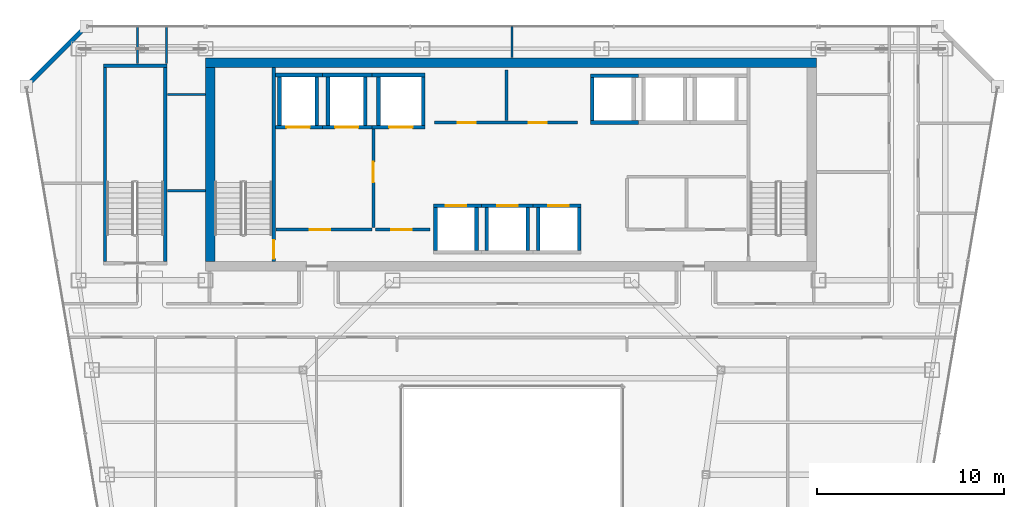
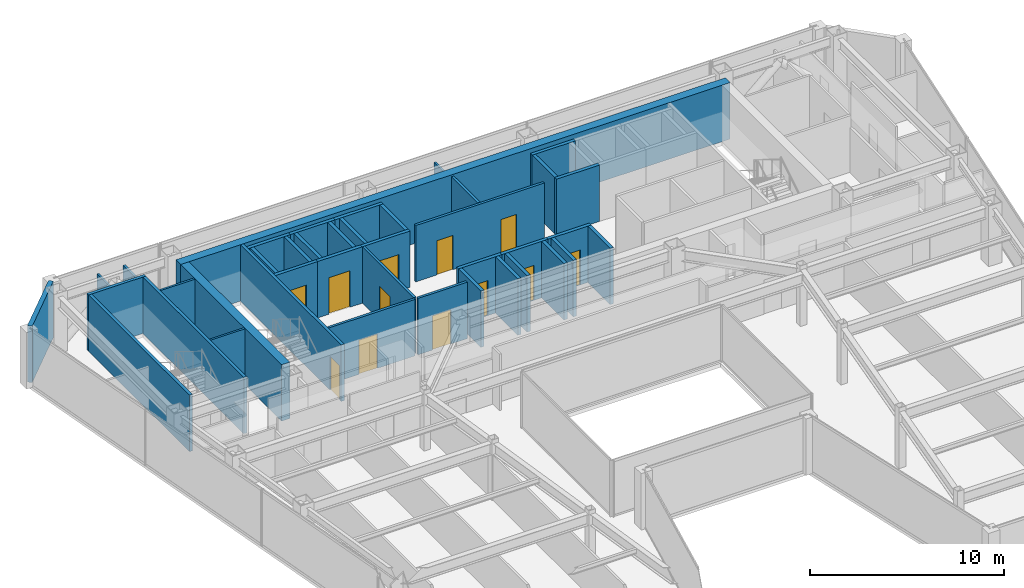
# One storey, part 31 of 36: 41 walls, 12 doors, 12 openings.
"""IFC4 building model written with IfcOpenShell, lengths in metres."""

from ifc_helpers import new_model, si_unit, direction, frame, frame_2d, origin, place, context, subcontext, project, spatial, rectangle, extrude, material, layer, layer_set, type_object, element, fill, save


model = new_model("IFC4")

# Units and contexts
model_context = context("Model", 3, precision=1e-05, world=origin(), true_north=direction((0.0, 1.0)))
body_context = subcontext(model_context, "Body", "Model", "MODEL_VIEW")
ifc_project = project(units=[si_unit("LENGTHUNIT", "METRE"), si_unit("AREAUNIT", "SQUARE_METRE"), si_unit("VOLUMEUNIT", "CUBIC_METRE"), si_unit("PLANEANGLEUNIT", "RADIAN"), si_unit("MASSUNIT", "GRAM", prefix="KILO")], contexts=[model_context])

# Site, building, storey
site_placement = place(None, origin())
site = spatial("IfcSite", under=ifc_project, at=site_placement, CompositionType="ELEMENT")
building_placement = place(site_placement, origin())
building = spatial("IfcBuilding", under=site, at=building_placement, Name="Saevonmaru Cultural Tower", CompositionType="ELEMENT")
storey_placement = place(building_placement, frame((0.0, 0.0, 198.0)))
storey = spatial("IfcBuildingStorey", under=building, at=storey_placement, Name="L45", CompositionType="ELEMENT", Elevation=198.0)

# Walls
ifc_material_1 = material(Name="Concrete C60/75", Category="concrete")
ifc_layer_1 = layer(ifc_material_1, 0.5, Name="Concrete C60/75")
ifc_layer_set_1 = layer_set([ifc_layer_1], Name="Concrete C60/75")
wall_type_1 = type_object("IfcWallType", Name="WL-CORE-500", PredefinedType="SHEAR", material=ifc_layer_set_1)
wall_1_placement = place(storey_placement, frame((13.60009765625, 54.050048828125, 0.0), z_axis=(0.0, 0.0, 1.0), x_axis=(1.0, 0.0, 0.0)))
element("IfcWall", 1, at=wall_1_placement, inside=storey, type_object=wall_type_1, Name="L45 Tower RC core shear wall N", PredefinedType="SHEAR", context=body_context, shape_type="SweptSolid", body=[
    extrude(rectangle(XDim=32.699951171875, YDim=0.5, at=frame_2d((16.35009765625, 0.0))), origin(), (0.0, 0.0, 1.0), 3.550048828125),
])
wall_2_placement = place(storey_placement, frame((13.85009765625, 43.39990234375, 0.0), z_axis=(0.0, 0.0, 1.0), x_axis=(0.0, 1.0, 0.0)))
element("IfcWall", 2, at=wall_2_placement, inside=storey, type_object=wall_type_1, Name="L45 Tower RC core shear wall W", PredefinedType="SHEAR", context=body_context, shape_type="SweptSolid", body=[
    extrude(rectangle(XDim=10.400146484375, YDim=0.5, at=frame_2d((5.2001953125, 0.0))), origin(), (0.0, 0.0, 1.0), 3.550048828125),
])

# Wall, opening, door
ifc_material_2 = material(Name="Gypsum Fireboard Partition", Category="gypsum")
ifc_layer_2 = layer(ifc_material_2, 0.14990234375, Name="Gypsum Fireboard Partition")
ifc_layer_set_2 = layer_set([ifc_layer_2], Name="Gypsum Fireboard Partition")
wall_type_2 = type_object("IfcWallType", Name="WL-CORE-PART-150", PredefinedType="PARTITIONING", material=ifc_layer_set_2)
wall_3_placement = place(storey_placement, frame((17.360107421875, 45.1201171875, 0.0), z_axis=(0.0, 0.0, 1.0), x_axis=(1.0, 0.0, 0.0)))
wall_3 = element("IfcWall", 3, at=wall_3_placement, inside=storey, type_object=wall_type_2, Name="L45 Firefighting Lift Lobby South Wall", PredefinedType="PARTITIONING", context=body_context, shape_type="SweptSolid", body=[
    extrude(rectangle(XDim=5.139892578125, YDim=0.14990234375, at=frame_2d((2.56982421875, 0.0))), origin(), (0.0, 0.0, 1.0), 3.550048828125),
])
opening_1_placement = place(wall_3_placement, frame((1.800048828125, 0.0, 0.0)))
opening_1 = element("IfcOpeningElement", 4, at=opening_1_placement, cuts=wall_3, Name="Opening FD-2", PredefinedType="OPENING", context=body_context, shape_type="SweptSolid", body=[
    extrude(rectangle(XDim=1.10009765625, YDim=2.14990234375, at=frame_2d((0.550048828125, 1.074951171875))), frame((0.0, 0.0849609375, 0.0), z_axis=(0.0, -1.0, 0.0), x_axis=(1.0, 0.0, 0.0)), (0.0, 0.0, 1.0), 0.169921875),
])
ifc_material_3 = material(Name="Satin Bronze Anodised Aluminium", Category="aluminium")
door_type_1 = type_object("IfcDoorType", Name="DR-FD60-1100", OperationType="SINGLE_SWING_LEFT", PredefinedType="DOOR", material=ifc_material_3)
door_1_placement = place(opening_1_placement, origin())
door_1 = element("IfcDoor", 5, at=door_1_placement, inside=storey, type_object=door_type_1, Name="L45 Firefighting Lift Lobby South Door", OperationType="SINGLE_SWING_LEFT", OverallHeight=2.14990234375, OverallWidth=1.10009765625, PredefinedType="DOOR", context=body_context, shape_type="SweptSolid", body=[
    extrude(rectangle(XDim=1.10009765625, YDim=2.14990234375, at=frame_2d((0.550048828125, 1.074951171875))), frame((0.0, 0.02490234375, 0.0), z_axis=(0.0, -1.0, 0.0), x_axis=(1.0, 0.0, 0.0)), (0.0, 0.0, 1.0), 0.050048828125),
])
fill(opening_1, door_1)

wall_4_placement = place(storey_placement, frame((22.580078125, 50.550048828125, 0.0), z_axis=(0.0, 0.0, 1.0), x_axis=(0.0, -1.0, 0.0)))
wall_4 = element("IfcWall", 6, at=wall_4_placement, inside=storey, type_object=wall_type_2, Name="L45 Firefighting Lift Lobby East Wall", PredefinedType="PARTITIONING", context=body_context, shape_type="SweptSolid", body=[
    extrude(rectangle(XDim=5.330078125, YDim=0.14990234375, at=frame_2d((2.6650390625, 0.0))), origin(), (0.0, 0.0, 1.0), 3.550048828125),
])
opening_2_placement = place(wall_4_placement, frame((1.800048828125, 0.0, 0.0)))
opening_2 = element("IfcOpeningElement", 7, at=opening_2_placement, cuts=wall_4, Name="Opening FD-2", PredefinedType="OPENING", context=body_context, shape_type="SweptSolid", body=[
    extrude(rectangle(XDim=1.10009765625, YDim=2.14990234375, at=frame_2d((0.550048828125, 1.074951171875))), frame((0.0, 0.0849609375, 0.0), z_axis=(0.0, -1.0, 0.0), x_axis=(1.0, 0.0, 0.0)), (0.0, 0.0, 1.0), 0.169921875),
])
door_2_placement = place(opening_2_placement, origin())
door_2 = element("IfcDoor", 8, at=door_2_placement, inside=storey, type_object=door_type_1, Name="L45 Firefighting Lift Lobby East Door", OperationType="SINGLE_SWING_LEFT", OverallHeight=2.14990234375, OverallWidth=1.10009765625, PredefinedType="DOOR", context=body_context, shape_type="SweptSolid", body=[
    extrude(rectangle(XDim=1.10009765625, YDim=2.14990234375, at=frame_2d((0.550048828125, 1.074951171875))), frame((0.0, 0.02490234375, 0.0), z_axis=(0.0, -1.0, 0.0), x_axis=(1.0, 0.0, 0.0)), (0.0, 0.0, 1.0), 0.050048828125),
])
fill(opening_2, door_2)

wall_5_placement = place(storey_placement, frame((22.679931640625, 45.1201171875, 0.0), z_axis=(0.0, 0.0, 1.0), x_axis=(1.0, 0.0, 0.0)))
wall_5 = element("IfcWall", 9, at=wall_5_placement, inside=storey, type_object=wall_type_2, Name="L45 Service Lift Vestibule Wall", PredefinedType="PARTITIONING", context=body_context, shape_type="SweptSolid", body=[
    extrude(rectangle(XDim=2.920166015625, YDim=0.14990234375, at=frame_2d((1.4599609375, 0.0))), origin(), (0.0, 0.0, 1.0), 3.550048828125),
])
opening_3_placement = place(wall_5_placement, frame((0.85009765625, 0.0, 0.0)))
opening_3 = element("IfcOpeningElement", 10, at=opening_3_placement, cuts=wall_5, Name="Opening FD-2", PredefinedType="OPENING", context=body_context, shape_type="SweptSolid", body=[
    extrude(rectangle(XDim=1.10009765625, YDim=2.14990234375, at=frame_2d((0.550048828125, 1.074951171875))), frame((0.0, 0.0849609375, 0.0), z_axis=(0.0, -1.0, 0.0), x_axis=(1.0, 0.0, 0.0)), (0.0, 0.0, 1.0), 0.169921875),
])
door_3_placement = place(opening_3_placement, origin())
door_3 = element("IfcDoor", 11, at=door_3_placement, inside=storey, type_object=door_type_1, Name="L45 Service Lift Vestibule Door", OperationType="SINGLE_SWING_LEFT", OverallHeight=2.14990234375, OverallWidth=1.10009765625, PredefinedType="DOOR", context=body_context, shape_type="SweptSolid", body=[
    extrude(rectangle(XDim=1.10009765625, YDim=2.14990234375, at=frame_2d((0.550048828125, 1.074951171875))), frame((0.0, 0.02490234375, 0.0), z_axis=(0.0, -1.0, 0.0), x_axis=(1.0, 0.0, 0.0)), (0.0, 0.0, 1.0), 0.050048828125),
])
fill(opening_3, door_3)

# Wall, openings, doors
wall_6_placement = place(storey_placement, frame((25.85009765625, 50.85009765625, 0.0), z_axis=(0.0, 0.0, 1.0), x_axis=(1.0, 0.0, 0.0)))
wall_6 = element("IfcWall", 12, at=wall_6_placement, inside=storey, type_object=wall_type_2, Name="L45 Reclaimed Core Room South Wall", PredefinedType="PARTITIONING", context=body_context, shape_type="SweptSolid", body=[
    extrude(rectangle(XDim=7.64990234375, YDim=0.14990234375, at=frame_2d((3.824951171875, 0.0))), origin(), (0.0, 0.0, 1.0), 3.550048828125),
])
opening_4_placement = place(wall_6_placement, frame((1.25, 0.0, 0.0)))
opening_4 = element("IfcOpeningElement", 13, at=opening_4_placement, cuts=wall_6, Name="Opening FD-4", PredefinedType="OPENING", context=body_context, shape_type="SweptSolid", body=[
    extrude(rectangle(XDim=0.949951171875, YDim=2.14990234375, at=frame_2d((0.47509765625, 1.074951171875))), frame((0.0, 0.0849609375, 0.0), z_axis=(0.0, -1.0, 0.0), x_axis=(1.0, 0.0, 0.0)), (0.0, 0.0, 1.0), 0.169921875),
])
opening_5_placement = place(wall_6_placement, frame((5.050048828125, 0.0, 0.0)))
opening_5 = element("IfcOpeningElement", 14, at=opening_5_placement, cuts=wall_6, Name="Opening FD-4", PredefinedType="OPENING", context=body_context, shape_type="SweptSolid", body=[
    extrude(rectangle(XDim=0.949951171875, YDim=2.14990234375, at=frame_2d((0.47509765625, 1.074951171875))), frame((0.0, 0.0849609375, 0.0), z_axis=(0.0, -1.0, 0.0), x_axis=(1.0, 0.0, 0.0)), (0.0, 0.0, 1.0), 0.169921875),
])
door_type_2 = type_object("IfcDoorType", Name="DR-FD60-950", OperationType="SINGLE_SWING_LEFT", PredefinedType="DOOR", material=ifc_material_3)
door_4_placement = place(opening_4_placement, origin())
door_4 = element("IfcDoor", 15, at=door_4_placement, inside=storey, type_object=door_type_2, Name="L45 Reclaimed Archive Vault Door", OperationType="SINGLE_SWING_LEFT", OverallHeight=2.14990234375, OverallWidth=0.949951171875, PredefinedType="DOOR", context=body_context, shape_type="SweptSolid", body=[
    extrude(rectangle(XDim=0.949951171875, YDim=2.14990234375, at=frame_2d((0.47509765625, 1.074951171875))), frame((0.0, 0.02490234375, 0.0), z_axis=(0.0, -1.0, 0.0), x_axis=(1.0, 0.0, 0.0)), (0.0, 0.0, 1.0), 0.050048828125),
])
fill(opening_4, door_4)
door_5_placement = place(opening_5_placement, origin())
door_5 = element("IfcDoor", 16, at=door_5_placement, inside=storey, type_object=door_type_2, Name="L45 Reclaimed Conservation Storage Door", OperationType="SINGLE_SWING_LEFT", OverallHeight=2.14990234375, OverallWidth=0.949951171875, PredefinedType="DOOR", context=body_context, shape_type="SweptSolid", body=[
    extrude(rectangle(XDim=0.949951171875, YDim=2.14990234375, at=frame_2d((0.47509765625, 1.074951171875))), frame((0.0, 0.02490234375, 0.0), z_axis=(0.0, -1.0, 0.0), x_axis=(1.0, 0.0, 0.0)), (0.0, 0.0, 1.0), 0.050048828125),
])
fill(opening_5, door_5)

# Walls
wall_7_placement = place(storey_placement, frame((29.699951171875, 50.949951171875, 0.0), z_axis=(0.0, 0.0, 1.0), x_axis=(0.0, 1.0, 0.0)))
element("IfcWall", 17, at=wall_7_placement, inside=storey, type_object=wall_type_2, Name="L45 Reclaimed Vault Split", PredefinedType="PARTITIONING", context=body_context, shape_type="SweptSolid", body=[
    extrude(rectangle(XDim=2.699951171875, YDim=0.14990234375, at=frame_2d((1.35009765625, 0.0))), origin(), (0.0, 0.0, 1.0), 3.550048828125),
])
ifc_material_4 = material(Name="Granite-Clad Precast Concrete C40/50", Category="masonry")
ifc_layer_3 = layer(ifc_material_4, 0.260009765625, Name="Granite-Clad Precast Concrete C40/50")
ifc_layer_set_3 = layer_set([ifc_layer_3], Name="Granite-Clad Precast Concrete C40/50")
wall_type_3 = type_object("IfcWallType", Name="WL-EXT-SPANDREL-260", PredefinedType="STANDARD", material=ifc_layer_set_3)
wall_8_placement = place(storey_placement, frame((7.0869140625, 55.886962890625, 0.0), z_axis=(0.0, 0.0, 1.0), x_axis=(-0.707106781187, -0.707106781187, 0.0)))
element("IfcWall", 18, at=wall_8_placement, inside=storey, type_object=wall_type_3, Name="L45 Chamfer Corner Spandrel Wall E11", PredefinedType="STANDARD", context=body_context, shape_type="SweptSolid", body=[
    extrude(rectangle(XDim=4.205810546875, YDim=0.260009765625, at=frame_2d((2.10302734375, 0.0))), origin(), (0.0, 0.0, 1.0), 3.550048828125),
])
ifc_layer_4 = layer(ifc_material_2, 0.1201171875, Name="Gypsum Fireboard Partition")
ifc_layer_set_4 = layer_set([ifc_layer_4], Name="Gypsum Fireboard Partition")
wall_type_4 = type_object("IfcWallType", Name="WL-PART-GYP-120", PredefinedType="PARTITIONING", material=ifc_layer_set_4)
wall_9_placement = place(storey_placement, frame((11.550048828125, 52.35009765625, 0.0), z_axis=(0.0, 0.0, 1.0), x_axis=(1.0, 0.0, 0.0)))
element("IfcWall", 19, at=wall_9_placement, inside=storey, type_object=wall_type_4, Name="L45 North-West Panorama South Wall", PredefinedType="PARTITIONING", context=body_context, shape_type="SweptSolid", body=[
    extrude(rectangle(XDim=2.030029296875, YDim=0.1201171875, at=frame_2d((1.01513671875, 0.0))), origin(), (0.0, 0.0, 1.0), 3.550048828125),
])
wall_10_placement = place(storey_placement, frame((30.0, 54.320068359375, 0.0), z_axis=(0.0, 0.0, 1.0), x_axis=(0.0, 1.0, 0.0)))
element("IfcWall", 20, at=wall_10_placement, inside=storey, type_object=wall_type_4, Name="L45 North Panorama Center Split", PredefinedType="PARTITIONING", context=body_context, shape_type="SweptSolid", body=[
    extrude(rectangle(XDim=1.675048828125, YDim=0.1201171875, at=frame_2d((0.83740234375, 0.0))), origin(), (0.0, 0.0, 1.0), 2.93505859375),
])
for number, where, z_axis, x_axis, name in (
    (21, (11.5, 54.0, 0.0), (0.0, 0.0, 1.0), (0.0, 1.0, 0.0), "L45 Periodical Reading Room Corridor Wall"),
    (22, (9.949951171875, 54.0, 0.0), (0.0, 0.0, 1.0), (0.0, 1.0, 0.0), "L45 Cartographic Study Library Corridor Wall"),
):
    element("IfcWall", number, at=place(storey_placement, frame(where, z_axis=z_axis, x_axis=x_axis)), inside=storey, type_object=wall_type_4, Name=name, PredefinedType="PARTITIONING", context=body_context, shape_type="SweptSolid", body=[
        extrude(rectangle(XDim=1.9951171875, YDim=0.1201171875, at=frame_2d((0.99755859375, 0.0))), origin(), (0.0, 0.0, 1.0), 2.93505859375),
    ])
wall_11_placement = place(storey_placement, frame((11.550048828125, 47.199951171875, 0.0), z_axis=(0.0, 0.0, 1.0), x_axis=(1.0, 0.0, 0.0)))
element("IfcWall", 23, at=wall_11_placement, inside=storey, type_object=wall_type_4, Name="L45 NW Inner Divider", PredefinedType="PARTITIONING", context=body_context, shape_type="SweptSolid", body=[
    extrude(rectangle(XDim=2.030029296875, YDim=0.1201171875, at=frame_2d((1.01513671875, 0.0))), origin(), (0.0, 0.0, 1.0), 3.550048828125),
])

# Wall, opening, door
ifc_material_5 = material(Name="Concrete C40/50", Category="concrete")
ifc_layer_5 = layer(ifc_material_5, 0.199951171875, Name="Concrete C40/50")
ifc_layer_set_5 = layer_set([ifc_layer_5], Name="Concrete C40/50")
wall_type_5 = type_object("IfcWallType", Name="WL-SHAFT-200", PredefinedType="SHEAR", material=ifc_layer_set_5)
wall_12_placement = place(storey_placement, frame((17.330078125, 50.60009765625, 0.0), z_axis=(0.0, 0.0, 1.0), x_axis=(1.0, 0.0, 0.0)))
wall_12 = element("IfcWall", 24, at=wall_12_placement, inside=storey, type_object=wall_type_5, Name="L45 Lift FFL-1 Hoistway Wall S", PredefinedType="SHEAR", context=body_context, shape_type="SweptSolid", body=[
    extrude(rectangle(XDim=2.52001953125, YDim=0.199951171875, at=frame_2d((1.260009765625, 0.0))), origin(), (0.0, 0.0, 1.0), 3.550048828125),
])
opening_6_placement = place(wall_12_placement, frame((0.594970703125, 0.0, 0.0)))
opening_6 = element("IfcOpeningElement", 25, at=opening_6_placement, cuts=wall_12, Name="Opening LD-2", PredefinedType="OPENING", context=body_context, shape_type="SweptSolid", body=[
    extrude(rectangle(XDim=1.25, YDim=2.300048828125, at=frame_2d((0.625, 1.14990234375))), frame((0.0, 0.10986328125, 0.0), z_axis=(0.0, -1.0, 0.0), x_axis=(1.0, 0.0, 0.0)), (0.0, 0.0, 1.0), 0.219970703125),
])
ifc_material_6 = material(Name="Stainless Steel 316", Category="steel")
door_type_3 = type_object("IfcDoorType", Name="DR-LIFT-1250", OperationType="SLIDING_TO_LEFT", PredefinedType="DOOR", material=ifc_material_6)
door_6_placement = place(opening_6_placement, origin())
door_6 = element("IfcDoor", 26, at=door_6_placement, inside=storey, type_object=door_type_3, Name="L45 Lift FFL-1 Sliding Landing Door", OperationType="SLIDING_TO_LEFT", OverallHeight=2.300048828125, OverallWidth=1.25, PredefinedType="DOOR", context=body_context, shape_type="SweptSolid", body=[
    extrude(rectangle(XDim=1.25, YDim=2.300048828125, at=frame_2d((0.625, 1.14990234375))), frame((0.0, 0.02490234375, 0.0), z_axis=(0.0, -1.0, 0.0), x_axis=(1.0, 0.0, 0.0)), (0.0, 0.0, 1.0), 0.050048828125),
])
fill(opening_6, door_6)

# Walls
wall_13_placement = place(storey_placement, frame((17.330078125, 53.39990234375, 0.0), z_axis=(0.0, 0.0, 1.0), x_axis=(1.0, 0.0, 0.0)))
element("IfcWall", 27, at=wall_13_placement, inside=storey, type_object=wall_type_5, Name="L45 Lift FFL-1 Hoistway Wall N", PredefinedType="SHEAR", context=body_context, shape_type="SweptSolid", body=[
    extrude(rectangle(XDim=2.52001953125, YDim=0.199951171875, at=frame_2d((1.260009765625, 0.0))), origin(), (0.0, 0.0, 1.0), 3.550048828125),
])
for number, where, z_axis, x_axis, name in (
    (28, (17.550048828125, 50.699951171875, 0.0), (0.0, 0.0, 1.0), (0.0, 1.0, 0.0), "L45 Lift FFL-1 Hoistway Wall W"),
    (29, (19.550048828125, 50.699951171875, 0.0), (0.0, 0.0, 1.0), (0.0, 1.0, 0.0), "L45 Lift FFL-1 Hoistway Wall E"),
):
    element("IfcWall", number, at=place(storey_placement, frame(where, z_axis=z_axis, x_axis=x_axis)), inside=storey, type_object=wall_type_5, Name=name, PredefinedType="SHEAR", context=body_context, shape_type="SweptSolid", body=[
        extrude(rectangle(XDim=2.60009765625, YDim=0.199951171875, at=frame_2d((1.300048828125, 0.0))), origin(), (0.0, 0.0, 1.0), 3.550048828125),
    ])

# Wall, opening, door
wall_14_placement = place(storey_placement, frame((19.85009765625, 50.60009765625, 0.0), z_axis=(0.0, 0.0, 1.0), x_axis=(1.0, 0.0, 0.0)))
wall_14 = element("IfcWall", 30, at=wall_14_placement, inside=storey, type_object=wall_type_5, Name="L45 Lift FFL-2 Hoistway Wall S", PredefinedType="SHEAR", context=body_context, shape_type="SweptSolid", body=[
    extrude(rectangle(XDim=2.64990234375, YDim=0.199951171875, at=frame_2d((1.324951171875, 0.0))), origin(), (0.0, 0.0, 1.0), 3.550048828125),
])
opening_7_placement = place(wall_14_placement, frame((0.675048828125, 0.0, 0.0)))
opening_7 = element("IfcOpeningElement", 31, at=opening_7_placement, cuts=wall_14, Name="Opening LD-2", PredefinedType="OPENING", context=body_context, shape_type="SweptSolid", body=[
    extrude(rectangle(XDim=1.25, YDim=2.300048828125, at=frame_2d((0.625, 1.14990234375))), frame((0.0, 0.10986328125, 0.0), z_axis=(0.0, -1.0, 0.0), x_axis=(1.0, 0.0, 0.0)), (0.0, 0.0, 1.0), 0.219970703125),
])
door_7_placement = place(opening_7_placement, origin())
door_7 = element("IfcDoor", 32, at=door_7_placement, inside=storey, type_object=door_type_3, Name="L45 Lift FFL-2 Sliding Landing Door", OperationType="SLIDING_TO_LEFT", OverallHeight=2.300048828125, OverallWidth=1.25, PredefinedType="DOOR", context=body_context, shape_type="SweptSolid", body=[
    extrude(rectangle(XDim=1.25, YDim=2.300048828125, at=frame_2d((0.625, 1.14990234375))), frame((0.0, 0.02490234375, 0.0), z_axis=(0.0, -1.0, 0.0), x_axis=(1.0, 0.0, 0.0)), (0.0, 0.0, 1.0), 0.050048828125),
])
fill(opening_7, door_7)

# Walls
wall_15_placement = place(storey_placement, frame((19.85009765625, 53.39990234375, 0.0), z_axis=(0.0, 0.0, 1.0), x_axis=(1.0, 0.0, 0.0)))
element("IfcWall", 33, at=wall_15_placement, inside=storey, type_object=wall_type_5, Name="L45 Lift FFL-2 Hoistway Wall N", PredefinedType="SHEAR", context=body_context, shape_type="SweptSolid", body=[
    extrude(rectangle(XDim=2.64990234375, YDim=0.199951171875, at=frame_2d((1.324951171875, 0.0))), origin(), (0.0, 0.0, 1.0), 3.550048828125),
])
for number, where, z_axis, x_axis, name in (
    (34, (20.14990234375, 50.699951171875, 0.0), (0.0, 0.0, 1.0), (0.0, 1.0, 0.0), "L45 Lift FFL-2 Hoistway Wall W"),
    (35, (22.14990234375, 50.699951171875, 0.0), (0.0, 0.0, 1.0), (0.0, 1.0, 0.0), "L45 Lift FFL-2 Hoistway Wall E"),
):
    element("IfcWall", number, at=place(storey_placement, frame(where, z_axis=z_axis, x_axis=x_axis)), inside=storey, type_object=wall_type_5, Name=name, PredefinedType="SHEAR", context=body_context, shape_type="SweptSolid", body=[
        extrude(rectangle(XDim=2.60009765625, YDim=0.199951171875, at=frame_2d((1.300048828125, 0.0))), origin(), (0.0, 0.0, 1.0), 3.550048828125),
    ])

# Wall, opening, door
wall_16_placement = place(storey_placement, frame((22.5, 50.60009765625, 0.0), z_axis=(0.0, 0.0, 1.0), x_axis=(1.0, 0.0, 0.0)))
wall_16 = element("IfcWall", 36, at=wall_16_placement, inside=storey, type_object=wall_type_5, Name="L45 Lift GL-1 Hoistway Wall S", PredefinedType="SHEAR", context=body_context, shape_type="SweptSolid", body=[
    extrude(rectangle(XDim=2.85009765625, YDim=0.199951171875, at=frame_2d((1.425048828125, 0.0))), origin(), (0.0, 0.0, 1.0), 3.550048828125),
])
opening_8_placement = place(wall_16_placement, frame((0.925048828125, 0.0, 0.0)))
opening_8 = element("IfcOpeningElement", 37, at=opening_8_placement, cuts=wall_16, Name="Opening LD-2", PredefinedType="OPENING", context=body_context, shape_type="SweptSolid", body=[
    extrude(rectangle(XDim=1.25, YDim=2.300048828125, at=frame_2d((0.625, 1.14990234375))), frame((0.0, 0.10986328125, 0.0), z_axis=(0.0, -1.0, 0.0), x_axis=(1.0, 0.0, 0.0)), (0.0, 0.0, 1.0), 0.219970703125),
])
door_8_placement = place(opening_8_placement, origin())
door_8 = element("IfcDoor", 38, at=door_8_placement, inside=storey, type_object=door_type_3, Name="L45 Lift GL-1 Sliding Landing Door", OperationType="SLIDING_TO_LEFT", OverallHeight=2.300048828125, OverallWidth=1.25, PredefinedType="DOOR", context=body_context, shape_type="SweptSolid", body=[
    extrude(rectangle(XDim=1.25, YDim=2.300048828125, at=frame_2d((0.625, 1.14990234375))), frame((0.0, 0.02490234375, 0.0), z_axis=(0.0, -1.0, 0.0), x_axis=(1.0, 0.0, 0.0)), (0.0, 0.0, 1.0), 0.050048828125),
])
fill(opening_8, door_8)

# Walls
wall_17_placement = place(storey_placement, frame((22.5, 53.39990234375, 0.0), z_axis=(0.0, 0.0, 1.0), x_axis=(1.0, 0.0, 0.0)))
element("IfcWall", 39, at=wall_17_placement, inside=storey, type_object=wall_type_5, Name="L45 Lift GL-1 Hoistway Wall N", PredefinedType="SHEAR", context=body_context, shape_type="SweptSolid", body=[
    extrude(rectangle(XDim=2.85009765625, YDim=0.199951171875, at=frame_2d((1.425048828125, 0.0))), origin(), (0.0, 0.0, 1.0), 3.550048828125),
])
for number, where, z_axis, x_axis, name in (
    (40, (22.85009765625, 50.699951171875, 0.0), (0.0, 0.0, 1.0), (0.0, 1.0, 0.0), "L45 Lift GL-1 Hoistway Wall W"),
    (41, (25.25, 50.699951171875, 0.0), (0.0, 0.0, 1.0), (0.0, 1.0, 0.0), "L45 Lift GL-1 Hoistway Wall E"),
):
    element("IfcWall", number, at=place(storey_placement, frame(where, z_axis=z_axis, x_axis=x_axis)), inside=storey, type_object=wall_type_5, Name=name, PredefinedType="SHEAR", context=body_context, shape_type="SweptSolid", body=[
        extrude(rectangle(XDim=2.60009765625, YDim=0.199951171875, at=frame_2d((1.300048828125, 0.0))), origin(), (0.0, 0.0, 1.0), 3.550048828125),
    ])

# Wall, opening, door
wall_18_placement = place(storey_placement, frame((25.800048828125, 46.39990234375, 0.0), z_axis=(0.0, 0.0, 1.0), x_axis=(1.0, 0.0, 0.0)))
wall_18 = element("IfcWall", 42, at=wall_18_placement, inside=storey, type_object=wall_type_5, Name="L45 Lift PL-M1 Hoistway Wall N", PredefinedType="SHEAR", context=body_context, shape_type="SweptSolid", body=[
    extrude(rectangle(XDim=2.574951171875, YDim=0.199951171875, at=frame_2d((1.28759765625, 0.0))), origin(), (0.0, 0.0, 1.0), 3.550048828125),
])
opening_9_placement = place(wall_18_placement, frame((0.64990234375, 0.0, 0.0)))
opening_9 = element("IfcOpeningElement", 43, at=opening_9_placement, cuts=wall_18, Name="Opening LD-1", PredefinedType="OPENING", context=body_context, shape_type="SweptSolid", body=[
    extrude(rectangle(XDim=1.10009765625, YDim=2.199951171875, at=frame_2d((0.550048828125, 1.10009765625))), frame((0.0, 0.10986328125, 0.0), z_axis=(0.0, -1.0, 0.0), x_axis=(1.0, 0.0, 0.0)), (0.0, 0.0, 1.0), 0.219970703125),
])
ifc_material_7 = material(Name="Satin Bronze Stainless Steel", Category="steel")
door_type_4 = type_object("IfcDoorType", Name="DR-LIFT-1100", OperationType="SLIDING_TO_LEFT", PredefinedType="DOOR", material=ifc_material_7)
door_9_placement = place(opening_9_placement, origin())
door_9 = element("IfcDoor", 44, at=door_9_placement, inside=storey, type_object=door_type_4, Name="L45 Lift PL-M1 Sliding Landing Door", OperationType="SLIDING_TO_LEFT", OverallHeight=2.199951171875, OverallWidth=1.10009765625, PredefinedType="DOOR", context=body_context, shape_type="SweptSolid", body=[
    extrude(rectangle(XDim=1.10009765625, YDim=2.199951171875, at=frame_2d((0.550048828125, 1.10009765625))), frame((0.0, 0.02490234375, 0.0), z_axis=(0.0, -1.0, 0.0), x_axis=(1.0, 0.0, 0.0)), (0.0, 0.0, 1.0), 0.050048828125),
])
fill(opening_9, door_9)

# Walls
for number, where, z_axis, x_axis, name in (
    (45, (25.89990234375, 44.0, 0.0), (0.0, 0.0, 1.0), (0.0, 1.0, 0.0), "L45 Lift PL-M1 Hoistway Wall W"),
    (46, (28.10009765625, 44.0, 0.0), (0.0, 0.0, 1.0), (0.0, 1.0, 0.0), "L45 Lift PL-M1 Hoistway Wall E"),
):
    element("IfcWall", number, at=place(storey_placement, frame(where, z_axis=z_axis, x_axis=x_axis)), inside=storey, type_object=wall_type_5, Name=name, PredefinedType="SHEAR", context=body_context, shape_type="SweptSolid", body=[
        extrude(rectangle(XDim=2.300048828125, YDim=0.199951171875, at=frame_2d((1.14990234375, 0.0))), origin(), (0.0, 0.0, 1.0), 3.550048828125),
    ])

# Wall, opening, door
wall_19_placement = place(storey_placement, frame((28.375, 46.39990234375, 0.0), z_axis=(0.0, 0.0, 1.0), x_axis=(1.0, 0.0, 0.0)))
wall_19 = element("IfcWall", 47, at=wall_19_placement, inside=storey, type_object=wall_type_5, Name="L45 Lift PL-M2 Hoistway Wall N", PredefinedType="SHEAR", context=body_context, shape_type="SweptSolid", body=[
    extrude(rectangle(XDim=2.75, YDim=0.199951171875, at=frame_2d((1.375, 0.0))), origin(), (0.0, 0.0, 1.0), 3.550048828125),
])
opening_10_placement = place(wall_19_placement, frame((0.824951171875, 0.0, 0.0)))
opening_10 = element("IfcOpeningElement", 48, at=opening_10_placement, cuts=wall_19, Name="Opening LD-1", PredefinedType="OPENING", context=body_context, shape_type="SweptSolid", body=[
    extrude(rectangle(XDim=1.10009765625, YDim=2.199951171875, at=frame_2d((0.550048828125, 1.10009765625))), frame((0.0, 0.10986328125, 0.0), z_axis=(0.0, -1.0, 0.0), x_axis=(1.0, 0.0, 0.0)), (0.0, 0.0, 1.0), 0.219970703125),
])
door_10_placement = place(opening_10_placement, origin())
door_10 = element("IfcDoor", 49, at=door_10_placement, inside=storey, type_object=door_type_4, Name="L45 Lift PL-M2 Sliding Landing Door", OperationType="SLIDING_TO_LEFT", OverallHeight=2.199951171875, OverallWidth=1.10009765625, PredefinedType="DOOR", context=body_context, shape_type="SweptSolid", body=[
    extrude(rectangle(XDim=1.10009765625, YDim=2.199951171875, at=frame_2d((0.550048828125, 1.10009765625))), frame((0.0, 0.02490234375, 0.0), z_axis=(0.0, -1.0, 0.0), x_axis=(1.0, 0.0, 0.0)), (0.0, 0.0, 1.0), 0.050048828125),
])
fill(opening_10, door_10)

# Walls
for number, where, z_axis, x_axis, name in (
    (50, (28.64990234375, 44.0, 0.0), (0.0, 0.0, 1.0), (0.0, 1.0, 0.0), "L45 Lift PL-M2 Hoistway Wall W"),
    (51, (30.85009765625, 44.0, 0.0), (0.0, 0.0, 1.0), (0.0, 1.0, 0.0), "L45 Lift PL-M2 Hoistway Wall E"),
):
    element("IfcWall", number, at=place(storey_placement, frame(where, z_axis=z_axis, x_axis=x_axis)), inside=storey, type_object=wall_type_5, Name=name, PredefinedType="SHEAR", context=body_context, shape_type="SweptSolid", body=[
        extrude(rectangle(XDim=2.300048828125, YDim=0.199951171875, at=frame_2d((1.14990234375, 0.0))), origin(), (0.0, 0.0, 1.0), 3.550048828125),
    ])

# Wall, opening, door
wall_20_placement = place(storey_placement, frame((31.125, 46.39990234375, 0.0), z_axis=(0.0, 0.0, 1.0), x_axis=(1.0, 0.0, 0.0)))
wall_20 = element("IfcWall", 52, at=wall_20_placement, inside=storey, type_object=wall_type_5, Name="L45 Lift PL-M3 Hoistway Wall N", PredefinedType="SHEAR", context=body_context, shape_type="SweptSolid", body=[
    extrude(rectangle(XDim=2.574951171875, YDim=0.199951171875, at=frame_2d((1.28759765625, 0.0))), origin(), (0.0, 0.0, 1.0), 3.550048828125),
])
opening_11_placement = place(wall_20_placement, frame((0.824951171875, 0.0, 0.0)))
opening_11 = element("IfcOpeningElement", 53, at=opening_11_placement, cuts=wall_20, Name="Opening LD-1", PredefinedType="OPENING", context=body_context, shape_type="SweptSolid", body=[
    extrude(rectangle(XDim=1.10009765625, YDim=2.199951171875, at=frame_2d((0.550048828125, 1.10009765625))), frame((0.0, 0.10986328125, 0.0), z_axis=(0.0, -1.0, 0.0), x_axis=(1.0, 0.0, 0.0)), (0.0, 0.0, 1.0), 0.219970703125),
])
door_11_placement = place(opening_11_placement, origin())
door_11 = element("IfcDoor", 54, at=door_11_placement, inside=storey, type_object=door_type_4, Name="L45 Lift PL-M3 Sliding Landing Door", OperationType="SLIDING_TO_LEFT", OverallHeight=2.199951171875, OverallWidth=1.10009765625, PredefinedType="DOOR", context=body_context, shape_type="SweptSolid", body=[
    extrude(rectangle(XDim=1.10009765625, YDim=2.199951171875, at=frame_2d((0.550048828125, 1.10009765625))), frame((0.0, 0.02490234375, 0.0), z_axis=(0.0, -1.0, 0.0), x_axis=(1.0, 0.0, 0.0)), (0.0, 0.0, 1.0), 0.050048828125),
])
fill(opening_11, door_11)

# Walls
for number, where, z_axis, x_axis, name in (
    (55, (31.39990234375, 44.0, 0.0), (0.0, 0.0, 1.0), (0.0, 1.0, 0.0), "L45 Lift PL-M3 Hoistway Wall W"),
    (56, (33.60009765625, 44.0, 0.0), (0.0, 0.0, 1.0), (0.0, 1.0, 0.0), "L45 Lift PL-M3 Hoistway Wall E"),
):
    element("IfcWall", number, at=place(storey_placement, frame(where, z_axis=z_axis, x_axis=x_axis)), inside=storey, type_object=wall_type_5, Name=name, PredefinedType="SHEAR", context=body_context, shape_type="SweptSolid", body=[
        extrude(rectangle(XDim=2.300048828125, YDim=0.199951171875, at=frame_2d((1.14990234375, 0.0))), origin(), (0.0, 0.0, 1.0), 3.550048828125),
    ])
for number, where, z_axis, x_axis, name in (
    (57, (34.199951171875, 50.85009765625, 0.0), (0.0, 0.0, 1.0), (1.0, 0.0, 0.0), "L45 Lift PL-H1 Hoistway Wall S"),
    (58, (34.199951171875, 53.35009765625, 0.0), (0.0, 0.0, 1.0), (1.0, 0.0, 0.0), "L45 Lift PL-H1 Hoistway Wall N"),
):
    element("IfcWall", number, at=place(storey_placement, frame(where, z_axis=z_axis, x_axis=x_axis)), inside=storey, type_object=wall_type_5, Name=name, PredefinedType="SHEAR", context=body_context, shape_type="SweptSolid", body=[
        extrude(rectangle(XDim=2.574951171875, YDim=0.199951171875, at=frame_2d((1.28759765625, 0.0))), origin(), (0.0, 0.0, 1.0), 3.550048828125),
    ])
wall_21_placement = place(storey_placement, frame((34.300048828125, 50.949951171875, 0.0), z_axis=(0.0, 0.0, 1.0), x_axis=(0.0, 1.0, 0.0)))
element("IfcWall", 59, at=wall_21_placement, inside=storey, type_object=wall_type_5, Name="L45 Lift PL-H1 Hoistway Wall W", PredefinedType="SHEAR", context=body_context, shape_type="SweptSolid", body=[
    extrude(rectangle(XDim=2.300048828125, YDim=0.199951171875, at=frame_2d((1.14990234375, 0.0))), origin(), (0.0, 0.0, 1.0), 3.550048828125),
])

# Wall, opening, door
ifc_layer_6 = layer(ifc_material_5, 0.179931640625, Name="Concrete C40/50")
ifc_layer_set_6 = layer_set([ifc_layer_6], Name="Concrete C40/50")
wall_type_6 = type_object("IfcWallType", Name="WL-STSHAFT-180", PredefinedType="SHEAR", material=ifc_layer_set_6)
wall_22_placement = place(storey_placement, frame((17.239990234375, 43.39990234375, 0.0), z_axis=(0.0, 0.0, 1.0), x_axis=(0.0, 1.0, 0.0)))
wall_22 = element("IfcWall", 60, at=wall_22_placement, inside=storey, type_object=wall_type_6, Name="L45 Stair ST-1 Structural Shaft Wall 1", PredefinedType="SHEAR", context=body_context, shape_type="SweptSolid", body=[
    extrude(rectangle(XDim=10.400146484375, YDim=0.179931640625, at=frame_2d((5.2001953125, 0.0))), origin(), (0.0, 0.0, 1.0), 3.550048828125),
])
opening_12_placement = place(wall_22_placement, frame((0.159912109375, 0.0, 0.0)))
opening_12 = element("IfcOpeningElement", 61, at=opening_12_placement, cuts=wall_22, Name="Opening FD-3", PredefinedType="OPENING", context=body_context, shape_type="SweptSolid", body=[
    extrude(rectangle(XDim=1.0, YDim=2.14990234375, at=frame_2d((0.5, 1.074951171875))), frame((0.0, 0.10009765625, 0.0), z_axis=(0.0, -1.0, 0.0), x_axis=(1.0, 0.0, 0.0)), (0.0, 0.0, 1.0), 0.199951171875),
])
door_type_5 = type_object("IfcDoorType", Name="DR-FD60-1000", OperationType="SINGLE_SWING_RIGHT", PredefinedType="DOOR", material=ifc_material_3)
door_12_placement = place(opening_12_placement, origin())
door_12 = element("IfcDoor", 62, at=door_12_placement, inside=storey, type_object=door_type_5, Name="L45 Protected Stair ST-1 Fire Door", OperationType="SINGLE_SWING_RIGHT", OverallHeight=2.14990234375, OverallWidth=1.0, PredefinedType="DOOR", context=body_context, shape_type="SweptSolid", body=[
    extrude(rectangle(XDim=1.0, YDim=2.14990234375, at=frame_2d((0.5, 1.074951171875))), frame((0.0, 0.02490234375, 0.0), z_axis=(0.0, -1.0, 0.0), x_axis=(1.0, 0.0, 0.0)), (0.0, 0.0, 1.0), 0.050048828125),
])
fill(opening_12, door_12)

# Walls
wall_23_placement = place(storey_placement, frame((11.43994140625, 43.39990234375, 0.0), z_axis=(0.0, 0.0, 1.0), x_axis=(0.0, 1.0, 0.0)))
element("IfcWall", 63, at=wall_23_placement, inside=storey, type_object=wall_type_6, Name="L45 Stair ST-3 Structural Shaft Wall 2", PredefinedType="SHEAR", context=body_context, shape_type="SweptSolid", body=[
    extrude(rectangle(XDim=10.400146484375, YDim=0.179931640625, at=frame_2d((5.2001953125, 0.0))), origin(), (0.0, 0.0, 1.0), 3.550048828125),
])
wall_24_placement = place(storey_placement, frame((11.530029296875, 53.889892578125, 0.0), z_axis=(0.0, 0.0, 1.0), x_axis=(-1.0, 0.0, 0.0)))
element("IfcWall", 64, at=wall_24_placement, inside=storey, type_object=wall_type_6, Name="L45 Stair ST-3 Structural Shaft Wall 3", PredefinedType="SHEAR", context=body_context, shape_type="SweptSolid", body=[
    extrude(rectangle(XDim=3.409912109375, YDim=0.179931640625, at=frame_2d((1.705078125, 0.0))), origin(), (0.0, 0.0, 1.0), 3.550048828125),
])
wall_25_placement = place(storey_placement, frame((8.2099609375, 53.800048828125, 0.0), z_axis=(0.0, 0.0, 1.0), x_axis=(0.0, -1.0, 0.0)))
element("IfcWall", 65, at=wall_25_placement, inside=storey, type_object=wall_type_6, Name="L45 Stair ST-3 Structural Shaft Wall 4", PredefinedType="SHEAR", context=body_context, shape_type="SweptSolid", body=[
    extrude(rectangle(XDim=10.400146484375, YDim=0.179931640625, at=frame_2d((5.2001953125, 0.0))), origin(), (0.0, 0.0, 1.0), 3.550048828125),
])

save(model, "model.ifc")
